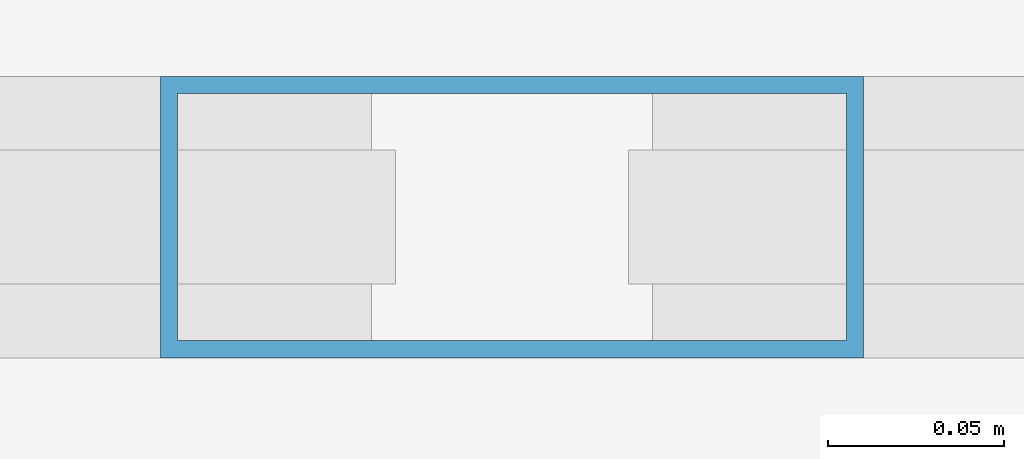
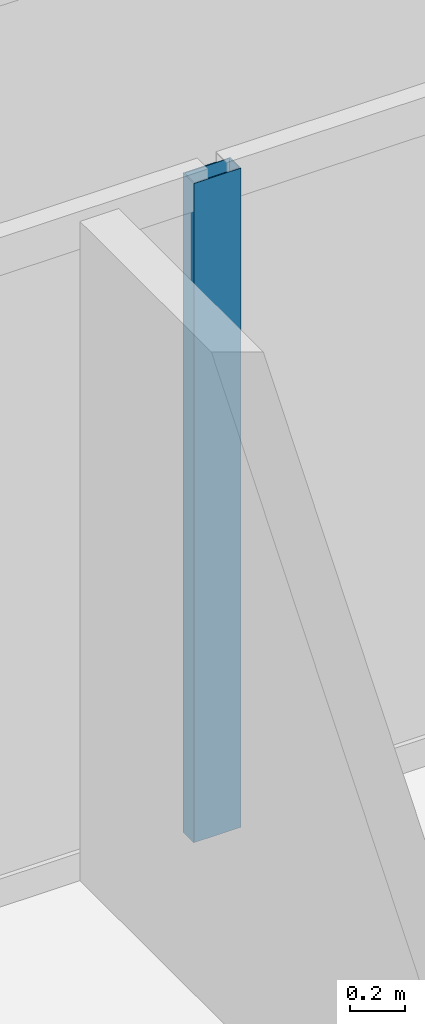
# One storey, part 12 of 21: 1 member, 1 element without a shape of its own.
"""IFC4 building model written with IfcOpenShell, lengths in metres."""

from ifc_helpers import new_model, si_unit, direction, frame, origin, origin_2d, place, context, subcontext, project, spatial, hollow_rectangle, extrude, source, transform, mapped, material, layer, layer_set, material_profile, profile_set, type_object, element, aggregate, save


model = new_model("IFC4")

# Units and contexts
model_context = context("Model", 3, precision=1e-05, world=origin(), true_north=direction((0.0, 1.0)))
body_context = subcontext(model_context, "Body", "Model", "MODEL_VIEW")
ifc_project = project(units=[si_unit("LENGTHUNIT", "METRE"), si_unit("AREAUNIT", "SQUARE_METRE"), si_unit("VOLUMEUNIT", "CUBIC_METRE"), si_unit("PLANEANGLEUNIT", "RADIAN"), si_unit("MASSUNIT", "GRAM", prefix="KILO")], contexts=[model_context])

# Site, building, storey
site_placement = place(None, origin())
site = spatial("IfcSite", under=ifc_project, at=site_placement, CompositionType="ELEMENT")
building_placement = place(site_placement, origin())
building = spatial("IfcBuilding", under=site, at=building_placement, Name="Kolveth Station Tower", CompositionType="ELEMENT")
storey_placement = place(building_placement, frame((0.0, 0.0, 111.89990234375)))
storey = spatial("IfcBuildingStorey", under=building, at=storey_placement, Name="L30", CompositionType="ELEMENT", Elevation=111.89990234375)

# Curtain wall, member
ifc_material_1 = material(Name="Aluminium 6063-T6 and low-E dark glass", Category="aluminium")
ifc_layer = layer(ifc_material_1, 0.18994140625)
ifc_layer_set = layer_set([ifc_layer], Name="Aluminium 6063-T6 and low-E dark glass")
curtain_wall_type = type_object("IfcCurtainWallType", Name="CurtainWall_CW-Z2", PredefinedType="NOTDEFINED", material=ifc_layer_set)
curtain_wall_placement = place(storey_placement, origin())
curtain_wall = element("IfcCurtainWall", 1, at=curtain_wall_placement, inside=storey, type_object=curtain_wall_type, Name="L30 Inner Thermal Curtain Wall 6", PredefinedType="NOTDEFINED")
ifc_material_2 = material(Name="Black anodized aluminium 6063-T6", Category="aluminium")
ifc_material_profile = material_profile(ifc_material_2, hollow_rectangle(XDim=0.080078125, YDim=0.199951171875, WallThickness=0.0048828125, at=origin_2d()), Name="ALU-80x200x5")
ifc_profile_set = profile_set([ifc_material_profile], Name="Black anodized aluminium 6063-T6")
member_type = type_object("IfcMemberType", Name="Mullion_ML2", PredefinedType="MULLION", material=ifc_profile_set)
shared_shape = source(origin(), body_context, "Body", "SweptSolid", [
    extrude(hollow_rectangle(XDim=0.080078125, YDim=0.199951171875, WallThickness=0.0048828125, at=origin_2d()), origin(), (0.0, 0.0, 1.0), 2.9501953125),
])
member_placement = place(storey_placement, frame((23.5, 35.179931640625, 0.0), z_axis=(0.0, 0.0, 1.0), x_axis=(0.0, -1.0, 0.0)))
member = element("IfcMember", 2, at=member_placement, type_object=member_type, Name="CW-Z2 mullion 2", PredefinedType="MULLION", context=body_context, shape_type="MappedRepresentation", body=[
    mapped(shared_shape, transform((0.0, 0.0, 0.0), x_axis=(1.0, 0.0, 0.0), y_axis=(0.0, 1.0, 0.0), z_axis=(0.0, 0.0, 1.0), scale=1.0)),
])
aggregate(curtain_wall, [member])

save(model, "model.ifc")
